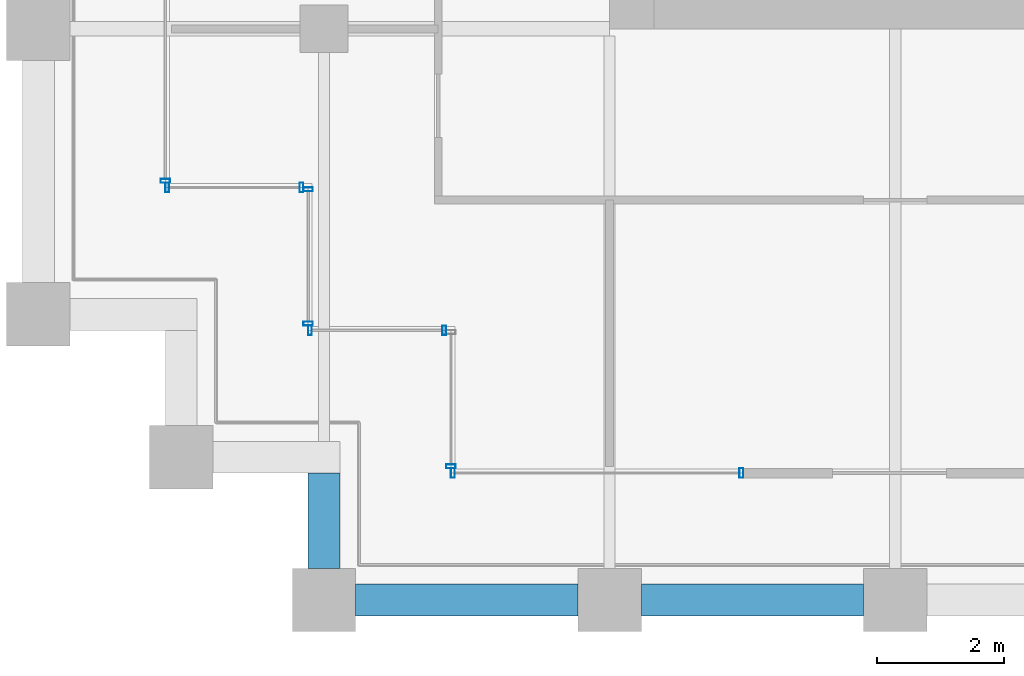
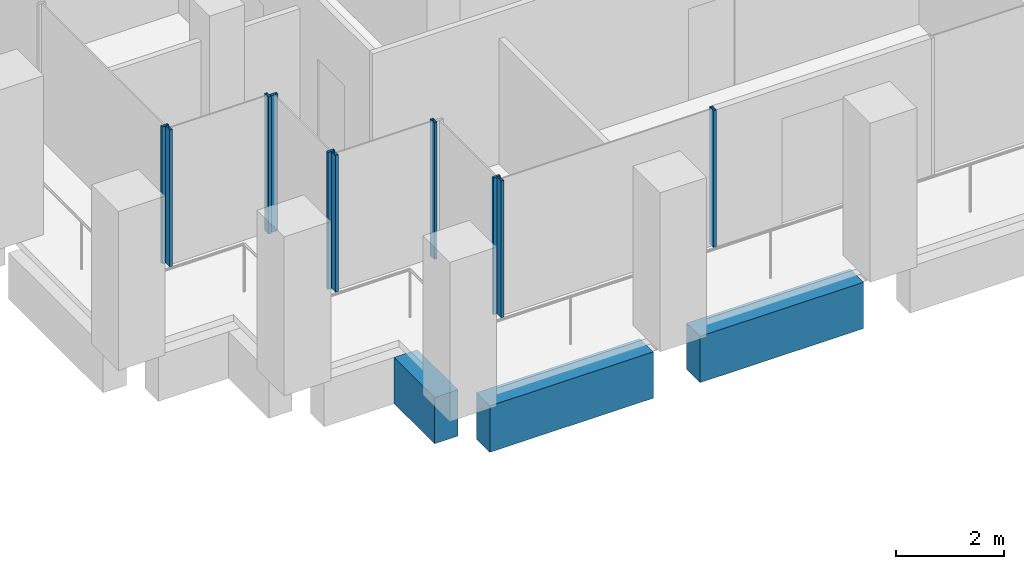
# One storey, part 28 of 47: 10 members, 3 beams, 6 elements without a shape of their own.
"""IFC4 building model written with IfcOpenShell, lengths in metres."""

from ifc_helpers import new_model, si_unit, direction, frame, origin, origin_2d, place, context, subcontext, project, spatial, rectangle, hollow_rectangle, extrude, material, material_profile, profile_set, type_object, element, aggregate, save


model = new_model("IFC4")

# Units and contexts
model_context = context("Model", 3, precision=1e-05, world=origin(), true_north=direction((0.0, 1.0)))
body_context = subcontext(model_context, "Body", "Model", "MODEL_VIEW")
ifc_project = project(units=[si_unit("LENGTHUNIT", "METRE"), si_unit("AREAUNIT", "SQUARE_METRE"), si_unit("VOLUMEUNIT", "CUBIC_METRE"), si_unit("PLANEANGLEUNIT", "RADIAN"), si_unit("MASSUNIT", "GRAM", prefix="KILO")], contexts=[model_context])

# Site, building, storey
site_placement = place(None, origin())
site = spatial("IfcSite", under=ifc_project, at=site_placement, CompositionType="ELEMENT")
building_placement = place(site_placement, origin())
building = spatial("IfcBuilding", under=site, at=building_placement, Name="Altepetl Exchange Towers", CompositionType="ELEMENT")
storey_placement = place(building_placement, frame((0.0, 0.0, 99.199951171875)))
storey = spatial("IfcBuildingStorey", under=building, at=storey_placement, Name="L24", CompositionType="ELEMENT", Elevation=99.199951171875)

# Curtain wall, member
ifc_material_1 = material(Name="Aluminium 6063-T6 glazing", Category="aluminium")
curtain_wall_type = type_object("IfcCurtainWallType", Name="Loggia glazing system", PredefinedType="NOTDEFINED", material=ifc_material_1)
curtain_wall_1_placement = place(storey_placement, origin())
curtain_wall_1 = element("IfcCurtainWall", 1, at=curtain_wall_1_placement, inside=storey, type_object=curtain_wall_type, Name="CW1 run", PredefinedType="NOTDEFINED")
ifc_material_2 = material(Name="Aluminium 6063-T6", Category="aluminium")
ifc_material_profile_1 = material_profile(ifc_material_2, hollow_rectangle(XDim=0.06005859375, YDim=0.14990234375, WallThickness=0.0029296875, at=origin_2d()), Name="Mullion 60x150 aluminium")
ifc_profile_set_1 = profile_set([ifc_material_profile_1], Name="Aluminium 6063-T6")
member_type = type_object("IfcMemberType", Name="Mullion 60x150 aluminium", PredefinedType="MULLION", material=ifc_profile_set_1)
member_1_placement = place(storey_placement, frame((96.5, 33.60498046875, 0.0), z_axis=(0.0, 0.0, 1.0), x_axis=(0.0, -1.0, 0.0)))
member_1 = element("IfcMember", 2, at=member_1_placement, type_object=member_type, Name="MU1 mullion", PredefinedType="MULLION", context=body_context, shape_type="SweptSolid", body=[
    extrude(hollow_rectangle(XDim=0.06005859375, YDim=0.14990234375, WallThickness=0.0029296875, at=origin_2d()), origin(), (0.0, 0.0, 1.0), 3.10009765625),
])
aggregate(curtain_wall_1, [member_1])

# Curtain wall, members
curtain_wall_2_placement = place(storey_placement, origin())
curtain_wall_2 = element("IfcCurtainWall", 3, at=curtain_wall_2_placement, inside=storey, type_object=curtain_wall_type, Name="CW1 run", PredefinedType="NOTDEFINED")
member_2_placement = place(storey_placement, frame((96.530029296875, 33.5, 0.0)))
member_2 = element("IfcMember", 4, at=member_2_placement, type_object=member_type, Name="MU1 mullion", PredefinedType="MULLION", context=body_context, shape_type="SweptSolid", body=[
    extrude(hollow_rectangle(XDim=0.06005859375, YDim=0.14990234375, WallThickness=0.0029296875, at=origin_2d()), origin(), (0.0, 0.0, 1.0), 3.10009765625),
])
member_3_placement = place(storey_placement, frame((98.64501953125, 33.5, 0.0)))
member_3 = element("IfcMember", 5, at=member_3_placement, type_object=member_type, Name="MU1 mullion", PredefinedType="MULLION", context=body_context, shape_type="SweptSolid", body=[
    extrude(hollow_rectangle(XDim=0.06005859375, YDim=0.14990234375, WallThickness=0.0029296875, at=origin_2d()), origin(), (0.0, 0.0, 1.0), 3.10009765625),
])
aggregate(curtain_wall_2, [member_2, member_3])

curtain_wall_3_placement = place(storey_placement, origin())
curtain_wall_3 = element("IfcCurtainWall", 6, at=curtain_wall_3_placement, inside=storey, type_object=curtain_wall_type, Name="CW1 run", PredefinedType="NOTDEFINED")
member_4_placement = place(storey_placement, frame((98.75, 33.469970703125, 0.0), z_axis=(0.0, 0.0, 1.0), x_axis=(0.0, -1.0, 0.0)))
member_4 = element("IfcMember", 7, at=member_4_placement, type_object=member_type, Name="MU1 mullion", PredefinedType="MULLION", context=body_context, shape_type="SweptSolid", body=[
    extrude(hollow_rectangle(XDim=0.06005859375, YDim=0.14990234375, WallThickness=0.0029296875, at=origin_2d()), origin(), (0.0, 0.0, 1.0), 3.10009765625),
])
member_5_placement = place(storey_placement, frame((98.75, 31.35498046875, 0.0), z_axis=(0.0, 0.0, 1.0), x_axis=(0.0, -1.0, 0.0)))
member_5 = element("IfcMember", 8, at=member_5_placement, type_object=member_type, Name="MU1 mullion", PredefinedType="MULLION", context=body_context, shape_type="SweptSolid", body=[
    extrude(hollow_rectangle(XDim=0.06005859375, YDim=0.14990234375, WallThickness=0.0029296875, at=origin_2d()), origin(), (0.0, 0.0, 1.0), 3.10009765625),
])
aggregate(curtain_wall_3, [member_4, member_5])

curtain_wall_4_placement = place(storey_placement, origin())
curtain_wall_4 = element("IfcCurtainWall", 9, at=curtain_wall_4_placement, inside=storey, type_object=curtain_wall_type, Name="CW1 run", PredefinedType="NOTDEFINED")
member_6_placement = place(storey_placement, frame((98.780029296875, 31.25, 0.0)))
member_6 = element("IfcMember", 10, at=member_6_placement, type_object=member_type, Name="MU1 mullion", PredefinedType="MULLION", context=body_context, shape_type="SweptSolid", body=[
    extrude(hollow_rectangle(XDim=0.06005859375, YDim=0.14990234375, WallThickness=0.0029296875, at=origin_2d()), origin(), (0.0, 0.0, 1.0), 3.10009765625),
])
member_7_placement = place(storey_placement, frame((100.89501953125, 31.25, 0.0)))
member_7 = element("IfcMember", 11, at=member_7_placement, type_object=member_type, Name="MU1 mullion", PredefinedType="MULLION", context=body_context, shape_type="SweptSolid", body=[
    extrude(hollow_rectangle(XDim=0.06005859375, YDim=0.14990234375, WallThickness=0.0029296875, at=origin_2d()), origin(), (0.0, 0.0, 1.0), 3.10009765625),
])
aggregate(curtain_wall_4, [member_6, member_7])

# Curtain wall, member
curtain_wall_5_placement = place(storey_placement, origin())
curtain_wall_5 = element("IfcCurtainWall", 12, at=curtain_wall_5_placement, inside=storey, type_object=curtain_wall_type, Name="CW1 run", PredefinedType="NOTDEFINED")
member_8_placement = place(storey_placement, frame((101.0, 29.10498046875, 0.0), z_axis=(0.0, 0.0, 1.0), x_axis=(0.0, -1.0, 0.0)))
member_8 = element("IfcMember", 13, at=member_8_placement, type_object=member_type, Name="MU1 mullion", PredefinedType="MULLION", context=body_context, shape_type="SweptSolid", body=[
    extrude(hollow_rectangle(XDim=0.06005859375, YDim=0.14990234375, WallThickness=0.0029296875, at=origin_2d()), origin(), (0.0, 0.0, 1.0), 3.10009765625),
])
aggregate(curtain_wall_5, [member_8])

# Curtain wall, members
curtain_wall_6_placement = place(storey_placement, origin())
curtain_wall_6 = element("IfcCurtainWall", 14, at=curtain_wall_6_placement, inside=storey, type_object=curtain_wall_type, Name="CW1 run", PredefinedType="NOTDEFINED")
member_9_placement = place(storey_placement, frame((101.030029296875, 29.0, 0.0)))
member_9 = element("IfcMember", 15, at=member_9_placement, type_object=member_type, Name="MU1 mullion", PredefinedType="MULLION", context=body_context, shape_type="SweptSolid", body=[
    extrude(hollow_rectangle(XDim=0.06005859375, YDim=0.14990234375, WallThickness=0.0029296875, at=origin_2d()), origin(), (0.0, 0.0, 1.0), 3.10009765625),
])
member_10_placement = place(storey_placement, frame((105.576171875, 29.0, 0.0)))
member_10 = element("IfcMember", 16, at=member_10_placement, type_object=member_type, Name="MU1 mullion", PredefinedType="MULLION", context=body_context, shape_type="SweptSolid", body=[
    extrude(hollow_rectangle(XDim=0.06005859375, YDim=0.14990234375, WallThickness=0.0029296875, at=origin_2d()), origin(), (0.0, 0.0, 1.0), 3.10009765625),
])
aggregate(curtain_wall_6, [member_9, member_10])

# Beams
ifc_material_3 = material(Name="Concrete C50/60 precast with tezontle facing", Category="concrete")
ifc_material_profile_2 = material_profile(ifc_material_3, rectangle(XDim=0.5, YDim=1.050048828125, at=origin_2d()), Name="500 x 1050")
ifc_profile_set_2 = profile_set([ifc_material_profile_2], Name="Concrete C50/60 precast with tezontle facing")
beam_type = type_object("IfcBeamType", Name="Spandrel beam 500x1050 tezontle", PredefinedType="SPANDREL", material=ifc_profile_set_2)
for number, where, z_axis, x_axis, name in (
    (17, (99.5, 27.0, -0.675048828125), (1.0, 0.0, 0.0), (0.0, 1.0, 0.0), "sp:B:L24:000"),
    (18, (104.0, 27.0, -0.675048828125), (1.0, 0.0, 0.0), (0.0, 1.0, 0.0), "sp:B:L24:001"),
):
    element("IfcBeam", number, at=place(storey_placement, frame(where, z_axis=z_axis, x_axis=x_axis)), inside=storey, type_object=beam_type, Name=name, PredefinedType="SPANDREL", context=body_context, shape_type="SweptSolid", body=[
        extrude(rectangle(XDim=0.5, YDim=1.050048828125, at=origin_2d()), origin(), (0.0, 0.0, 1.0), 3.5),
    ])
beam_placement = place(storey_placement, frame((99.0, 29.0, -0.675048828125), z_axis=(0.0, -1.0, 0.0), x_axis=(1.0, 0.0, 0.0)))
element("IfcBeam", 19, at=beam_placement, inside=storey, type_object=beam_type, Name="sp:B:L24:030", PredefinedType="SPANDREL", context=body_context, shape_type="SweptSolid", body=[
    extrude(rectangle(XDim=0.5, YDim=1.050048828125, at=origin_2d()), origin(), (0.0, 0.0, 1.0), 1.5),
])

save(model, "model.ifc")
